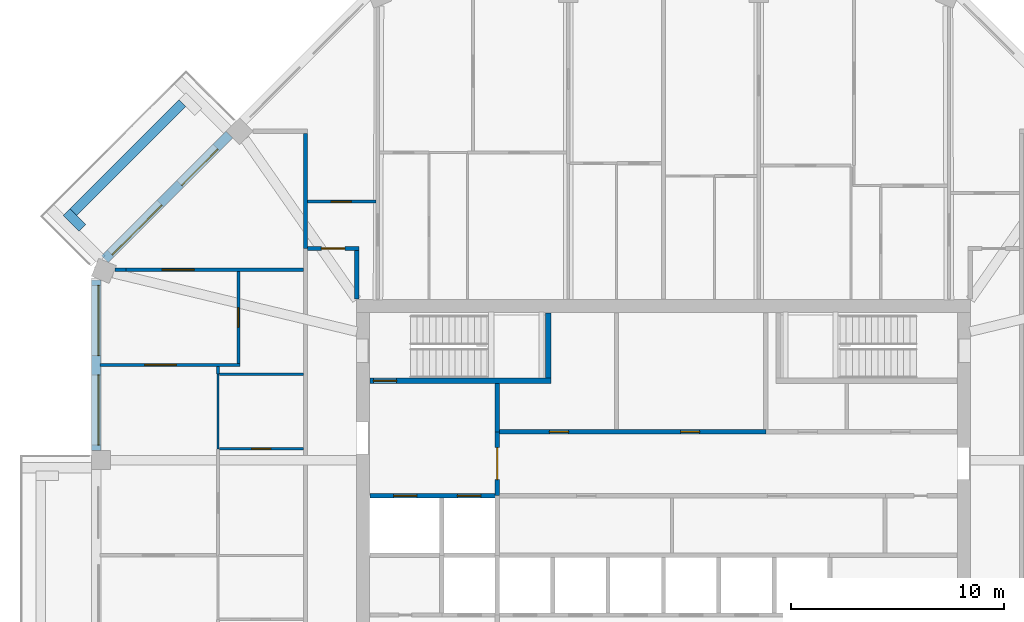
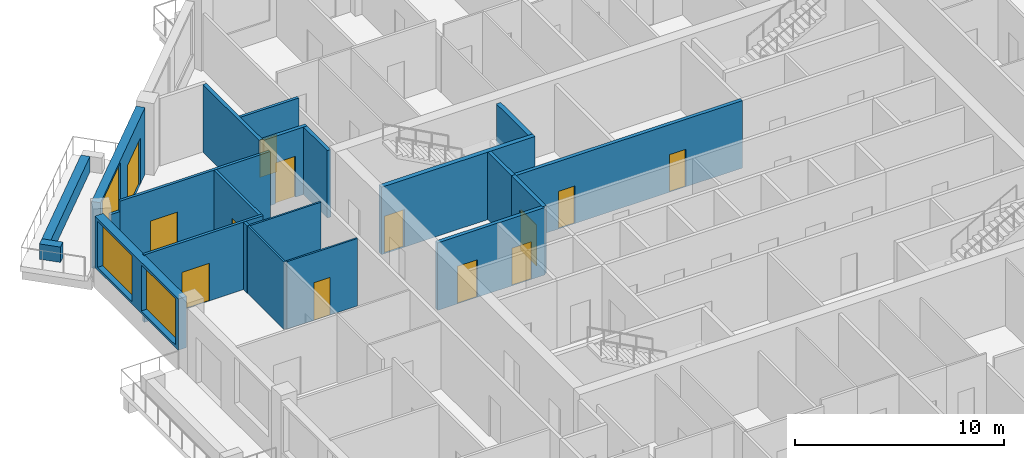
# One storey, part 7 of 13: 22 walls, 13 doors, 3 windows, 16 openings.
"""IFC4 building model written with IfcOpenShell, lengths in metres."""

from ifc_helpers import new_model, si_unit, direction, frame, frame_2d, origin, place, context, subcontext, project, spatial, rectangle, extrude, material, layer, layer_set, type_object, element, fill, save


model = new_model("IFC4")

# Units and contexts
model_context = context("Model", 3, precision=1e-05, world=origin(), true_north=direction((0.0, 1.0)))
body_context = subcontext(model_context, "Body", "Model", "MODEL_VIEW")
ifc_project = project(units=[si_unit("LENGTHUNIT", "METRE"), si_unit("AREAUNIT", "SQUARE_METRE"), si_unit("VOLUMEUNIT", "CUBIC_METRE"), si_unit("PLANEANGLEUNIT", "RADIAN"), si_unit("MASSUNIT", "GRAM", prefix="KILO")], contexts=[model_context])

# Site, building, storey
site_placement = place(None, origin())
site = spatial("IfcSite", under=ifc_project, at=site_placement, CompositionType="ELEMENT")
building_placement = place(site_placement, origin())
building = spatial("IfcBuilding", under=site, at=building_placement, Name="Msitu Wima Residences", CompositionType="ELEMENT")
storey_placement = place(building_placement, frame((0.0, 0.0, 289.5)))
storey = spatial("IfcBuildingStorey", under=building, at=storey_placement, Name="L67", CompositionType="ELEMENT", Elevation=289.5)

# Walls
ifc_material_1 = material(Name="Facing brick")
ifc_layer_1 = layer(ifc_material_1, 0.06494140625, Name="Facing brick")
ifc_material_2 = material(Name="Concrete C40/50", Category="concrete")
ifc_layer_2 = layer(ifc_material_2, 0.156005859375, Name="Concrete C40/50")
ifc_material_3 = material(Name="Waterproofing membrane")
ifc_layer_3 = layer(ifc_material_3, 0.00390625, Name="Waterproofing membrane")
ifc_material_4 = material(Name="Planting soil and planting")
ifc_layer_4 = layer(ifc_material_4, 0.22509765625, Name="Planting soil and planting")
ifc_layer_set_1 = layer_set([ifc_layer_1, ifc_layer_2, ifc_layer_3, ifc_layer_4], Name="Concrete C40/50")
wall_type_1 = type_object("IfcWallType", Name="Balcony planter PLANTER PL450", PredefinedType="USERDEFINED", material=ifc_layer_set_1)
wall_1_placement = place(storey_placement, frame((-22.572265625, 21.228759765625, 0.0), z_axis=(0.0, 0.0, 1.0), x_axis=(-0.707106781187, -0.707106781187, 0.0)))
element("IfcWall", 1, at=wall_1_placement, inside=storey, type_object=wall_type_1, Name="Balcony planter NW1 L67", ObjectType="PLANTER", PredefinedType="USERDEFINED", context=body_context, shape_type="SweptSolid", body=[
    extrude(rectangle(XDim=7.23828125, YDim=0.449951171875, at=frame_2d((3.619140625, 0.0))), origin(), (0.0, 0.0, 1.0), 0.89990234375),
])
wall_2_placement = place(storey_placement, frame((-27.26611328125, 15.3681640625, 0.0), z_axis=(0.0, 0.0, 1.0), x_axis=(-0.707223014731, 0.706990528533, 0.0)))
element("IfcWall", 2, at=wall_2_placement, inside=storey, type_object=wall_type_1, Name="Balcony planter NW1 L67", ObjectType="PLANTER", PredefinedType="USERDEFINED", context=body_context, shape_type="SweptSolid", body=[
    extrude(rectangle(XDim=1.050048828125, YDim=0.449951171875, at=frame_2d((0.52490234375, 0.0))), origin(), (0.0, 0.0, 1.0), 0.89990234375),
])

# Wall, openings, door, window
ifc_material_5 = material(Name="Brick (red buff mix)", Category="masonry")
ifc_layer_5 = layer(ifc_material_5, 0.449951171875)
ifc_layer_set_2 = layer_set([ifc_layer_5], Name="Brick (red buff mix)")
wall_type_2 = type_object("IfcWallType", Name="Brick infill wall BW450", PredefinedType="SOLIDWALL", material=ifc_layer_set_2)
wall_3_placement = place(storey_placement, frame((-20.380126953125, 19.743896484375, 0.0), z_axis=(0.0, 0.0, 1.0), x_axis=(-0.707106781187, -0.707106781187, 0.0)))
wall_3 = element("IfcWall", 3, at=wall_3_placement, inside=storey, type_object=wall_type_2, Name="Brick infill wall L67 NW1", PredefinedType="SOLIDWALL", context=body_context, shape_type="SweptSolid", body=[
    extrude(rectangle(XDim=8.251220703125, YDim=0.449951171875, at=frame_2d((4.12548828125, 0.0))), origin(), (0.0, 0.0, 1.0), 3.89990234375),
])
opening_1_placement = place(wall_3_placement, frame((0.86279296875, 0.0, 0.0)))
opening_1 = element("IfcOpeningElement", 4, at=opening_1_placement, cuts=wall_3, Name="Opening D65-67.005", PredefinedType="OPENING", context=body_context, shape_type="SweptSolid", body=[
    extrude(rectangle(XDim=2.39990234375, YDim=2.699951171875, at=frame_2d((1.199951171875, 1.35009765625))), frame((0.0, 0.23486328125, 0.0), z_axis=(0.0, -1.0, 0.0), x_axis=(1.0, 0.0, 0.0)), (0.0, 0.0, 1.0), 0.469970703125),
])
opening_2_placement = place(wall_3_placement, frame((4.57568359375, 0.0, 1.050048828125)))
opening_2 = element("IfcOpeningElement", 5, at=opening_2_placement, cuts=wall_3, Name="Opening W65-67.015", PredefinedType="OPENING", context=body_context, shape_type="SweptSolid", body=[
    extrude(rectangle(XDim=3.300048828125, YDim=2.699951171875, at=frame_2d((1.64990234375, 1.35009765625))), frame((0.0, 0.23486328125, 0.0), z_axis=(0.0, -1.0, 0.0), x_axis=(1.0, 0.0, 0.0)), (0.0, 0.0, 1.0), 0.469970703125),
])
ifc_material_6 = material(Name="Anodised aluminium, bronze finish, clear low-emissivity double glazing", Category="aluminium")
door_type_1 = type_object("IfcDoorType", Name="Balcony door D2400x2700", OperationType="SLIDING_TO_LEFT", PredefinedType="DOOR", material=ifc_material_6)
door_1_placement = place(opening_1_placement, origin())
door_1 = element("IfcDoor", 6, at=door_1_placement, inside=storey, type_object=door_type_1, Name="Balcony door L67 NW1", OperationType="SINGLE_SWING_LEFT", OverallHeight=2.699951171875, OverallWidth=2.39990234375, PredefinedType="DOOR", context=body_context, shape_type="SweptSolid", body=[
    extrude(rectangle(XDim=2.39990234375, YDim=2.699951171875, at=frame_2d((1.199951171875, 1.35009765625))), frame((0.0, 0.1298828125, 0.0), z_axis=(0.0, -1.0, 0.0), x_axis=(1.0, 0.0, 0.0)), (0.0, 0.0, 1.0), 0.050048828125),
])
fill(opening_1, door_1)
window_type = type_object("IfcWindowType", Name="Window W3300x2700", PartitioningType="DOUBLE_PANEL_VERTICAL", PredefinedType="WINDOW", material=ifc_material_6)
window_1_placement = place(opening_2_placement, origin())
window_1 = element("IfcWindow", 7, at=window_1_placement, inside=storey, type_object=window_type, Name="Window L67 NW1.2", OverallHeight=2.699951171875, OverallWidth=3.300048828125, PartitioningType="SINGLE_PANEL", PredefinedType="WINDOW", context=body_context, shape_type="SweptSolid", body=[
    extrude(rectangle(XDim=3.300048828125, YDim=2.699951171875, at=frame_2d((1.64990234375, 1.35009765625))), frame((0.0, 0.135009765625, 0.0), z_axis=(0.0, -1.0, 0.0), x_axis=(1.0, 0.0, 0.0)), (0.0, 0.0, 1.0), 0.06005859375),
])
fill(opening_2, window_1)

# Wall, openings, windows
wall_4_placement = place(storey_placement, frame((-26.625, 12.918701171875, 0.89990234375), z_axis=(0.0, 0.0, 1.0), x_axis=(0.0, -1.0, 0.0)))
wall_4 = element("IfcWall", 8, at=wall_4_placement, inside=storey, type_object=wall_type_2, Name="Brick infill wall L67 W0", PredefinedType="SOLIDWALL", context=body_context, shape_type="SweptSolid", body=[
    extrude(rectangle(XDim=8.0, YDim=0.449951171875, at=frame_2d((4.0, 0.0))), origin(), (0.0, 0.0, 1.0), 3.0),
])
opening_3_placement = place(wall_4_placement, frame((0.25, 0.0, 0.14990234375)))
opening_3 = element("IfcOpeningElement", 9, at=opening_3_placement, cuts=wall_4, Name="Opening W65-67.026", PredefinedType="OPENING", context=body_context, shape_type="SweptSolid", body=[
    extrude(rectangle(XDim=3.300048828125, YDim=2.699951171875, at=frame_2d((1.64990234375, 1.35009765625))), frame((0.0, 0.23486328125, 0.0), z_axis=(0.0, -1.0, 0.0), x_axis=(1.0, 0.0, 0.0)), (0.0, 0.0, 1.0), 0.469970703125),
])
opening_4_placement = place(wall_4_placement, frame((4.4501953125, 0.0, 0.14990234375)))
opening_4 = element("IfcOpeningElement", 10, at=opening_4_placement, cuts=wall_4, Name="Opening W65-67.027", PredefinedType="OPENING", context=body_context, shape_type="SweptSolid", body=[
    extrude(rectangle(XDim=3.300048828125, YDim=2.699951171875, at=frame_2d((1.64990234375, 1.35009765625))), frame((0.0, 0.23486328125, 0.0), z_axis=(0.0, -1.0, 0.0), x_axis=(1.0, 0.0, 0.0)), (0.0, 0.0, 1.0), 0.469970703125),
])
window_2_placement = place(opening_3_placement, origin())
window_2 = element("IfcWindow", 11, at=window_2_placement, inside=storey, type_object=window_type, Name="Window L67 W0.1", OverallHeight=2.699951171875, OverallWidth=3.300048828125, PartitioningType="SINGLE_PANEL", PredefinedType="WINDOW", context=body_context, shape_type="SweptSolid", body=[
    extrude(rectangle(XDim=3.300048828125, YDim=2.699951171875, at=frame_2d((1.64990234375, 1.35009765625))), frame((0.0, 0.135009765625, 0.0), z_axis=(0.0, -1.0, 0.0), x_axis=(1.0, 0.0, 0.0)), (0.0, 0.0, 1.0), 0.06005859375),
])
fill(opening_3, window_2)
window_3_placement = place(opening_4_placement, origin())
window_3 = element("IfcWindow", 12, at=window_3_placement, inside=storey, type_object=window_type, Name="Window L67 W0.2", OverallHeight=2.699951171875, OverallWidth=3.300048828125, PartitioningType="SINGLE_PANEL", PredefinedType="WINDOW", context=body_context, shape_type="SweptSolid", body=[
    extrude(rectangle(XDim=3.300048828125, YDim=2.699951171875, at=frame_2d((1.64990234375, 1.35009765625))), frame((0.0, 0.135009765625, 0.0), z_axis=(0.0, -1.0, 0.0), x_axis=(1.0, 0.0, 0.0)), (0.0, 0.0, 1.0), 0.06005859375),
])
fill(opening_4, window_3)

# Wall, opening, door
ifc_material_7 = material(Name="Plaster")
ifc_layer_6 = layer(ifc_material_7, 0.011962890625, Name="Plaster")
ifc_material_8 = material(Name="Concrete blockwork", Category="masonry")
ifc_layer_7 = layer(ifc_material_8, 0.176025390625, Name="Concrete blockwork")
ifc_layer_8 = layer(ifc_material_7, 0.011962890625, Name="Plaster")
ifc_layer_set_3 = layer_set([ifc_layer_6, ifc_layer_7, ifc_layer_8], Name="Concrete blockwork")
wall_type_3 = type_object("IfcWallType", Name="Corridor wall FW200", PredefinedType="PARTITIONING", material=ifc_layer_set_3)
wall_5_placement = place(storey_placement, frame((-16.699951171875, 14.39990234375, 0.0), z_axis=(0.0, 0.0, 1.0), x_axis=(1.0, 0.0, 0.0)))
wall_5 = element("IfcWall", 13, at=wall_5_placement, inside=storey, type_object=wall_type_3, Name="Corridor wall", PredefinedType="PARTITIONING", context=body_context, shape_type="SweptSolid", body=[
    extrude(rectangle(XDim=2.39990234375, YDim=0.199951171875, at=frame_2d((1.199951171875, 0.0))), origin(), (0.0, 0.0, 1.0), 3.949951171875),
])
opening_5_placement = place(wall_5_placement, frame((0.64990234375, 0.0, 0.0)))
opening_5 = element("IfcOpeningElement", 14, at=opening_5_placement, cuts=wall_5, Name="Opening D65-67.032", PredefinedType="OPENING", context=body_context, shape_type="SweptSolid", body=[
    extrude(rectangle(XDim=1.10009765625, YDim=2.39990234375, at=frame_2d((0.550048828125, 1.199951171875))), frame((0.0, 0.10986328125, 0.0), z_axis=(0.0, -1.0, 0.0), x_axis=(1.0, 0.0, 0.0)), (0.0, 0.0, 1.0), 0.219970703125),
])
ifc_material_9 = material(Name="Timber flush door, fire resisting, self-closing", Category="wood")
door_type_2 = type_object("IfcDoorType", Name="Flat entrance door D01 1100x2400", OperationType="SINGLE_SWING_LEFT", PredefinedType="DOOR", material=ifc_material_9)
door_2_placement = place(opening_5_placement, origin())
door_2 = element("IfcDoor", 15, at=door_2_placement, inside=storey, type_object=door_type_2, Name="Flat entrance door", OperationType="SINGLE_SWING_LEFT", OverallHeight=2.39990234375, OverallWidth=1.10009765625, PredefinedType="DOOR", context=body_context, shape_type="SweptSolid", body=[
    extrude(rectangle(XDim=1.10009765625, YDim=2.39990234375, at=frame_2d((0.550048828125, 1.199951171875))), frame((0.0, 0.02490234375, 0.0), z_axis=(0.0, -1.0, 0.0), x_axis=(1.0, 0.0, 0.0)), (0.0, 0.0, 1.0), 0.050048828125),
])
fill(opening_5, door_2)

# Wall
wall_6_placement = place(storey_placement, frame((-14.39990234375, 12.030029296875, 0.0), z_axis=(0.0, 0.0, 1.0), x_axis=(0.0, 1.0, 0.0)))
element("IfcWall", 16, at=wall_6_placement, inside=storey, type_object=wall_type_3, Name="Corridor wall", PredefinedType="PARTITIONING", context=body_context, shape_type="SweptSolid", body=[
    extrude(rectangle(XDim=2.27001953125, YDim=0.199951171875, at=frame_2d((1.135009765625, 0.0))), origin(), (0.0, 0.0, 1.0), 3.949951171875),
])

# Wall, opening, door
wall_7_placement = place(storey_placement, frame((-7.800048828125, 2.800048828125, 0.0), z_axis=(0.0, 0.0, 1.0), x_axis=(0.0, 1.0, 0.0)))
wall_7 = element("IfcWall", 17, at=wall_7_placement, inside=storey, type_object=wall_type_3, Name="Corridor wall", PredefinedType="PARTITIONING", context=body_context, shape_type="SweptSolid", body=[
    extrude(rectangle(XDim=3.0, YDim=0.199951171875, at=frame_2d((1.5, 0.0))), origin(), (0.0, 0.0, 1.0), 3.949951171875),
])
opening_6_placement = place(wall_7_placement, frame((0.75, 0.0, 0.0)))
opening_6 = element("IfcOpeningElement", 18, at=opening_6_placement, cuts=wall_7, Name="Opening D65-67.076", PredefinedType="OPENING", context=body_context, shape_type="SweptSolid", body=[
    extrude(rectangle(XDim=1.5, YDim=2.39990234375, at=frame_2d((0.75, 1.199951171875))), frame((0.0, 0.10986328125, 0.0), z_axis=(0.0, -1.0, 0.0), x_axis=(1.0, 0.0, 0.0)), (0.0, 0.0, 1.0), 0.219970703125),
])
ifc_material_10 = material(Name="Steel framed glazed door, fire resisting", Category="steel")
door_type_3 = type_object("IfcDoorType", Name="Lobby door D07 1500x2400", OperationType="DOUBLE_DOOR_SINGLE_SWING", PredefinedType="DOOR", material=ifc_material_10)
door_3_placement = place(opening_6_placement, origin())
door_3 = element("IfcDoor", 19, at=door_3_placement, inside=storey, type_object=door_type_3, Name="Lobby door", OperationType="DOUBLE_DOOR_SINGLE_SWING", OverallHeight=2.39990234375, OverallWidth=1.5, PredefinedType="DOOR", context=body_context, shape_type="SweptSolid", body=[
    extrude(rectangle(XDim=1.5, YDim=2.39990234375, at=frame_2d((0.75, 1.199951171875))), frame((0.0, 0.02490234375, 0.0), z_axis=(0.0, -1.0, 0.0), x_axis=(1.0, 0.0, 0.0)), (0.0, 0.0, 1.0), 0.050048828125),
])
fill(opening_6, door_3)

ifc_layer_9 = layer(ifc_material_7, 0.011962890625, Name="Plaster")
ifc_layer_10 = layer(ifc_material_8, 0.1259765625, Name="Concrete blockwork")
ifc_layer_11 = layer(ifc_material_7, 0.011962890625, Name="Plaster")
ifc_layer_set_4 = layer_set([ifc_layer_9, ifc_layer_10, ifc_layer_11], Name="Concrete blockwork")
wall_type_4 = type_object("IfcWallType", Name="Partition PW150", PredefinedType="PARTITIONING", material=ifc_layer_set_4)
wall_8_placement = place(storey_placement, frame((-26.455078125, 8.937255859375, 0.0), z_axis=(0.0, 0.0, 1.0), x_axis=(1.0, 0.0, 0.0)))
wall_8 = element("IfcWall", 20, at=wall_8_placement, inside=storey, type_object=wall_type_4, Name="Partition", PredefinedType="PARTITIONING", context=body_context, shape_type="SweptSolid", body=[
    extrude(rectangle(XDim=6.580078125, YDim=0.14990234375, at=frame_2d((3.2900390625, 0.0))), origin(), (0.0, 0.0, 1.0), 3.949951171875),
])
opening_7_placement = place(wall_8_placement, frame((2.10009765625, 0.0, 0.0)))
opening_7 = element("IfcOpeningElement", 21, at=opening_7_placement, cuts=wall_8, Name="Opening D65-67.051", PredefinedType="OPENING", context=body_context, shape_type="SweptSolid", body=[
    extrude(rectangle(XDim=1.5, YDim=2.199951171875, at=frame_2d((0.75, 1.10009765625))), frame((0.0, 0.0849609375, 0.0), z_axis=(0.0, -1.0, 0.0), x_axis=(1.0, 0.0, 0.0)), (0.0, 0.0, 1.0), 0.169921875),
])
ifc_material_11 = material(Name="Timber double door", Category="wood")
door_type_4 = type_object("IfcDoorType", Name="Double door D04 1500x2200", OperationType="DOUBLE_DOOR_SINGLE_SWING", PredefinedType="DOOR", material=ifc_material_11)
door_4_placement = place(opening_7_placement, origin())
door_4 = element("IfcDoor", 22, at=door_4_placement, inside=storey, type_object=door_type_4, Name="Double door", OperationType="DOUBLE_DOOR_SINGLE_SWING", OverallHeight=2.199951171875, OverallWidth=1.5, PredefinedType="DOOR", context=body_context, shape_type="SweptSolid", body=[
    extrude(rectangle(XDim=1.5, YDim=2.199951171875, at=frame_2d((0.75, 1.10009765625))), frame((0.0, 0.02490234375, 0.0), z_axis=(0.0, -1.0, 0.0), x_axis=(1.0, 0.0, 0.0)), (0.0, 0.0, 1.0), 0.050048828125),
])
fill(opening_7, door_4)

# Wall
wall_9_placement = place(storey_placement, frame((-25.731201171875, 13.406005859375, 0.0), z_axis=(0.0, 0.0, 1.0), x_axis=(1.0, 0.0, 0.0)))
element("IfcWall", 23, at=wall_9_placement, inside=storey, type_object=wall_type_4, Name="Partition", PredefinedType="PARTITIONING", context=body_context, shape_type="SweptSolid", body=[
    extrude(rectangle(XDim=0.507080078125, YDim=0.14990234375, at=frame_2d((0.25341796875, 0.0))), origin(), (0.0, 0.0, 1.0), 3.35009765625),
])

# Wall, opening, door
wall_10_placement = place(storey_placement, frame((-25.22412109375, 13.406005859375, 0.0), z_axis=(0.0, 0.0, 1.0), x_axis=(1.0, 0.0, 0.0)))
wall_10 = element("IfcWall", 24, at=wall_10_placement, inside=storey, type_object=wall_type_4, Name="Partition", PredefinedType="PARTITIONING", context=body_context, shape_type="SweptSolid", body=[
    extrude(rectangle(XDim=8.32421875, YDim=0.14990234375, at=frame_2d((4.162109375, 0.0))), origin(), (0.0, 0.0, 1.0), 3.949951171875),
])
opening_8_placement = place(wall_10_placement, frame((1.69287109375, 0.0, 0.0)))
opening_8 = element("IfcOpeningElement", 25, at=opening_8_placement, cuts=wall_10, Name="Opening D65-67.052", PredefinedType="OPENING", context=body_context, shape_type="SweptSolid", body=[
    extrude(rectangle(XDim=1.5, YDim=2.199951171875, at=frame_2d((0.75, 1.10009765625))), frame((0.0, 0.0849609375, 0.0), z_axis=(0.0, -1.0, 0.0), x_axis=(1.0, 0.0, 0.0)), (0.0, 0.0, 1.0), 0.169921875),
])
door_5_placement = place(opening_8_placement, origin())
door_5 = element("IfcDoor", 26, at=door_5_placement, inside=storey, type_object=door_type_4, Name="Double door", OperationType="DOUBLE_DOOR_SINGLE_SWING", OverallHeight=2.199951171875, OverallWidth=1.5, PredefinedType="DOOR", context=body_context, shape_type="SweptSolid", body=[
    extrude(rectangle(XDim=1.5, YDim=2.199951171875, at=frame_2d((0.75, 1.10009765625))), frame((0.0, 0.02490234375, 0.0), z_axis=(0.0, -1.0, 0.0), x_axis=(1.0, 0.0, 0.0)), (0.0, 0.0, 1.0), 0.050048828125),
])
fill(opening_8, door_5)

# Wall
wall_11_placement = place(storey_placement, frame((-20.89990234375, 8.5, 0.0), z_axis=(0.0, 0.0, 1.0), x_axis=(0.0, 1.0, 0.0)))
element("IfcWall", 27, at=wall_11_placement, inside=storey, type_object=wall_type_4, Name="Partition", PredefinedType="PARTITIONING", context=body_context, shape_type="SweptSolid", body=[
    extrude(rectangle(XDim=0.3623046875, YDim=0.14990234375, at=frame_2d((0.18115234375, 0.0))), origin(), (0.0, 0.0, 1.0), 3.949951171875),
])

# Wall, opening, door
wall_12_placement = place(storey_placement, frame((-19.949951171875, 9.01220703125, 0.0), z_axis=(0.0, 0.0, 1.0), x_axis=(0.0, 1.0, 0.0)))
wall_12 = element("IfcWall", 28, at=wall_12_placement, inside=storey, type_object=wall_type_4, Name="Partition", PredefinedType="PARTITIONING", context=body_context, shape_type="SweptSolid", body=[
    extrude(rectangle(XDim=4.318603515625, YDim=0.14990234375, at=frame_2d((2.1591796875, 0.0))), origin(), (0.0, 0.0, 1.0), 3.949951171875),
])
opening_9_placement = place(wall_12_placement, frame((1.699951171875, 0.0, 0.0)))
opening_9 = element("IfcOpeningElement", 29, at=opening_9_placement, cuts=wall_12, Name="Opening D65-67.045", PredefinedType="OPENING", context=body_context, shape_type="SweptSolid", body=[
    extrude(rectangle(XDim=0.89990234375, YDim=2.199951171875, at=frame_2d((0.449951171875, 1.10009765625))), frame((0.0, 0.0849609375, 0.0), z_axis=(0.0, -1.0, 0.0), x_axis=(1.0, 0.0, 0.0)), (0.0, 0.0, 1.0), 0.169921875),
])
ifc_material_12 = material(Name="Timber flush door", Category="wood")
door_type_5 = type_object("IfcDoorType", Name="Service door D05 900x2200", OperationType="SINGLE_SWING_LEFT", PredefinedType="DOOR", material=ifc_material_12)
door_6_placement = place(opening_9_placement, origin())
door_6 = element("IfcDoor", 30, at=door_6_placement, inside=storey, type_object=door_type_5, Name="Service door", OperationType="SINGLE_SWING_LEFT", OverallHeight=2.199951171875, OverallWidth=0.89990234375, PredefinedType="DOOR", context=body_context, shape_type="SweptSolid", body=[
    extrude(rectangle(XDim=0.89990234375, YDim=2.199951171875, at=frame_2d((0.449951171875, 1.10009765625))), frame((0.0, 0.02490234375, 0.0), z_axis=(0.0, -1.0, 0.0), x_axis=(1.0, 0.0, 0.0)), (0.0, 0.0, 1.0), 0.050048828125),
])
fill(opening_9, door_6)

wall_13_placement = place(storey_placement, frame((-16.699951171875, 16.60009765625, 0.0), z_axis=(0.0, 0.0, 1.0), x_axis=(1.0, 0.0, 0.0)))
wall_13 = element("IfcWall", 31, at=wall_13_placement, inside=storey, type_object=wall_type_4, Name="Partition", PredefinedType="PARTITIONING", context=body_context, shape_type="SweptSolid", body=[
    extrude(rectangle(XDim=3.218994140625, YDim=0.14990234375, at=frame_2d((1.609375, 0.0))), origin(), (0.0, 0.0, 1.0), 3.949951171875),
])
opening_10_placement = place(wall_13_placement, frame((1.10009765625, 0.0, 0.0)))
opening_10 = element("IfcOpeningElement", 32, at=opening_10_placement, cuts=wall_13, Name="Opening D65-67.035", PredefinedType="OPENING", context=body_context, shape_type="SweptSolid", body=[
    extrude(rectangle(XDim=0.949951171875, YDim=2.199951171875, at=frame_2d((0.47509765625, 1.10009765625))), frame((0.0, 0.0849609375, 0.0), z_axis=(0.0, -1.0, 0.0), x_axis=(1.0, 0.0, 0.0)), (0.0, 0.0, 1.0), 0.169921875),
])
door_type_6 = type_object("IfcDoorType", Name="Room door D12 950x2200", OperationType="SINGLE_SWING_LEFT", PredefinedType="DOOR", material=ifc_material_12)
door_7_placement = place(opening_10_placement, origin())
door_7 = element("IfcDoor", 33, at=door_7_placement, inside=storey, type_object=door_type_6, Name="Room door", OperationType="SINGLE_SWING_LEFT", OverallHeight=2.199951171875, OverallWidth=0.949951171875, PredefinedType="DOOR", context=body_context, shape_type="SweptSolid", body=[
    extrude(rectangle(XDim=0.949951171875, YDim=2.199951171875, at=frame_2d((0.47509765625, 1.10009765625))), frame((0.0, 0.02490234375, 0.0), z_axis=(0.0, -1.0, 0.0), x_axis=(1.0, 0.0, 0.0)), (0.0, 0.0, 1.0), 0.050048828125),
])
fill(opening_10, door_7)

# Walls
ifc_layer_12 = layer(ifc_material_7, 0.011962890625, Name="Plaster")
ifc_material_13 = material(Name="Dense concrete blockwork", Category="masonry")
ifc_layer_13 = layer(ifc_material_13, 0.176025390625, Name="Dense concrete blockwork")
ifc_layer_14 = layer(ifc_material_7, 0.011962890625, Name="Plaster")
ifc_layer_set_5 = layer_set([ifc_layer_12, ifc_layer_13, ifc_layer_14], Name="Dense concrete blockwork")
wall_type_5 = type_object("IfcWallType", Name="Party wall PW200", PredefinedType="PARTITIONING", material=ifc_layer_set_5)
wall_14_placement = place(storey_placement, frame((-16.800048828125, 14.39990234375, 0.0), z_axis=(0.0, 0.0, 1.0), x_axis=(0.0, 1.0, 0.0)))
element("IfcWall", 34, at=wall_14_placement, inside=storey, type_object=wall_type_5, Name="Party wall", PredefinedType="PARTITIONING", context=body_context, shape_type="SweptSolid", body=[
    extrude(rectangle(XDim=5.403076171875, YDim=0.199951171875, at=frame_2d((2.70166015625, 0.0))), origin(), (0.0, 0.0, 1.0), 3.949951171875),
])
ifc_layer_15 = layer(ifc_material_7, 0.011962890625, Name="Plaster")
ifc_material_14 = material(Name="Reinforced concrete blockwork", Category="masonry")
ifc_layer_16 = layer(ifc_material_14, 0.176025390625, Name="Reinforced concrete blockwork")
ifc_layer_17 = layer(ifc_material_7, 0.011962890625, Name="Plaster")
ifc_layer_set_6 = layer_set([ifc_layer_15, ifc_layer_16, ifc_layer_17], Name="Reinforced concrete blockwork")
wall_type_6 = type_object("IfcWallType", Name="Plant and riser wall PL200", PredefinedType="PARTITIONING", material=ifc_layer_set_6)
wall_15_placement = place(storey_placement, frame((-7.800048828125, 5.800048828125, 0.0), z_axis=(0.0, 0.0, 1.0), x_axis=(0.0, 1.0, 0.0)))
element("IfcWall", 35, at=wall_15_placement, inside=storey, type_object=wall_type_6, Name="Plant and riser wall", PredefinedType="PARTITIONING", context=body_context, shape_type="SweptSolid", body=[
    extrude(rectangle(XDim=2.27490234375, YDim=0.199951171875, at=frame_2d((1.137451171875, 0.0))), origin(), (0.0, 0.0, 1.0), 3.949951171875),
])

# Wall, openings, doors
wall_16_placement = place(storey_placement, frame((-7.699951171875, 5.800048828125, 0.0), z_axis=(0.0, 0.0, 1.0), x_axis=(1.0, 0.0, 0.0)))
wall_16 = element("IfcWall", 36, at=wall_16_placement, inside=storey, type_object=wall_type_6, Name="Plant and riser wall", PredefinedType="PARTITIONING", context=body_context, shape_type="SweptSolid", body=[
    extrude(rectangle(XDim=12.52001953125, YDim=0.199951171875, at=frame_2d((6.260009765625, 0.0))), origin(), (0.0, 0.0, 1.0), 3.949951171875),
])
opening_11_placement = place(wall_16_placement, frame((2.35009765625, 0.0, 0.0)))
opening_11 = element("IfcOpeningElement", 37, at=opening_11_placement, cuts=wall_16, Name="Opening D65-67.079", PredefinedType="OPENING", context=body_context, shape_type="SweptSolid", body=[
    extrude(rectangle(XDim=0.89990234375, YDim=2.199951171875, at=frame_2d((0.449951171875, 1.10009765625))), frame((0.0, 0.10986328125, 0.0), z_axis=(0.0, -1.0, 0.0), x_axis=(1.0, 0.0, 0.0)), (0.0, 0.0, 1.0), 0.219970703125),
])
opening_12_placement = place(wall_16_placement, frame((8.5, 0.0, 0.0)))
opening_12 = element("IfcOpeningElement", 38, at=opening_12_placement, cuts=wall_16, Name="Opening D65-67.080", PredefinedType="OPENING", context=body_context, shape_type="SweptSolid", body=[
    extrude(rectangle(XDim=0.89990234375, YDim=2.199951171875, at=frame_2d((0.449951171875, 1.10009765625))), frame((0.0, 0.10986328125, 0.0), z_axis=(0.0, -1.0, 0.0), x_axis=(1.0, 0.0, 0.0)), (0.0, 0.0, 1.0), 0.219970703125),
])
door_8_placement = place(opening_11_placement, origin())
door_8 = element("IfcDoor", 39, at=door_8_placement, inside=storey, type_object=door_type_5, Name="Service door", OperationType="SINGLE_SWING_RIGHT", OverallHeight=2.199951171875, OverallWidth=0.89990234375, PredefinedType="DOOR", context=body_context, shape_type="SweptSolid", body=[
    extrude(rectangle(XDim=0.89990234375, YDim=2.199951171875, at=frame_2d((0.449951171875, 1.10009765625))), frame((0.0, 0.02490234375, 0.0), z_axis=(0.0, -1.0, 0.0), x_axis=(1.0, 0.0, 0.0)), (0.0, 0.0, 1.0), 0.050048828125),
])
fill(opening_11, door_8)
door_9_placement = place(opening_12_placement, origin())
door_9 = element("IfcDoor", 40, at=door_9_placement, inside=storey, type_object=door_type_5, Name="Service door", OperationType="SINGLE_SWING_LEFT", OverallHeight=2.199951171875, OverallWidth=0.89990234375, PredefinedType="DOOR", context=body_context, shape_type="SweptSolid", body=[
    extrude(rectangle(XDim=0.89990234375, YDim=2.199951171875, at=frame_2d((0.449951171875, 1.10009765625))), frame((0.0, 0.02490234375, 0.0), z_axis=(0.0, -1.0, 0.0), x_axis=(1.0, 0.0, 0.0)), (0.0, 0.0, 1.0), 0.050048828125),
])
fill(opening_12, door_9)

ifc_material_15 = material(Name="Fire-rated board")
ifc_layer_18 = layer(ifc_material_15, 0.02490234375, Name="Fire-rated board")
ifc_material_16 = material(Name="Light-gauge stud framing with mineral wool")
ifc_layer_19 = layer(ifc_material_16, 0.14990234375, Name="Light-gauge stud framing with mineral wool")
ifc_layer_20 = layer(ifc_material_15, 0.02490234375, Name="Fire-rated board")
ifc_layer_set_7 = layer_set([ifc_layer_18, ifc_layer_19, ifc_layer_20], Name="Light-gauge stud framing with mineral wool")
wall_type_7 = type_object("IfcWallType", Name="Shaft wall SH200", PredefinedType="PARTITIONING", material=ifc_layer_set_7)
wall_17_placement = place(storey_placement, frame((-13.77001953125, 2.800048828125, 0.0), z_axis=(0.0, 0.0, 1.0), x_axis=(1.0, 0.0, 0.0)))
wall_17 = element("IfcWall", 41, at=wall_17_placement, inside=storey, type_object=wall_type_7, Name="Shaft wall", PredefinedType="PARTITIONING", context=body_context, shape_type="SweptSolid", body=[
    extrude(rectangle(XDim=5.949951171875, YDim=0.199951171875, at=frame_2d((2.97509765625, 0.0))), origin(), (0.0, 0.0, 1.0), 3.949951171875),
])
opening_13_placement = place(wall_17_placement, frame((1.10009765625, 0.0, 0.0)))
opening_13 = element("IfcOpeningElement", 42, at=opening_13_placement, cuts=wall_17, Name="Opening LD", PredefinedType="OPENING", context=body_context, shape_type="SweptSolid", body=[
    extrude(rectangle(XDim=1.10009765625, YDim=2.199951171875, at=frame_2d((0.550048828125, 1.10009765625))), frame((0.0, 0.10986328125, 0.0), z_axis=(0.0, -1.0, 0.0), x_axis=(1.0, 0.0, 0.0)), (0.0, 0.0, 1.0), 0.219970703125),
])
opening_14_placement = place(wall_17_placement, frame((4.10009765625, 0.0, 0.0)))
opening_14 = element("IfcOpeningElement", 43, at=opening_14_placement, cuts=wall_17, Name="Opening LD", PredefinedType="OPENING", context=body_context, shape_type="SweptSolid", body=[
    extrude(rectangle(XDim=1.10009765625, YDim=2.199951171875, at=frame_2d((0.550048828125, 1.10009765625))), frame((0.0, 0.10986328125, 0.0), z_axis=(0.0, -1.0, 0.0), x_axis=(1.0, 0.0, 0.0)), (0.0, 0.0, 1.0), 0.219970703125),
])
ifc_material_17 = material(Name="Stainless steel centre-opening landing door, rated", Category="steel")
door_type_7 = type_object("IfcDoorType", Name="Lift landing door LD 1100x2200", OperationType="DOUBLE_DOOR_SLIDING", PredefinedType="DOOR", material=ifc_material_17)
door_10_placement = place(opening_13_placement, origin())
door_10 = element("IfcDoor", 44, at=door_10_placement, inside=storey, type_object=door_type_7, Name="Lift landing door LD1", OperationType="DOUBLE_DOOR_SLIDING", OverallHeight=2.199951171875, OverallWidth=1.10009765625, PredefinedType="DOOR", context=body_context, shape_type="SweptSolid", body=[
    extrude(rectangle(XDim=1.10009765625, YDim=2.199951171875, at=frame_2d((0.550048828125, 1.10009765625))), frame((0.0, 0.02490234375, 0.0), z_axis=(0.0, -1.0, 0.0), x_axis=(1.0, 0.0, 0.0)), (0.0, 0.0, 1.0), 0.050048828125),
])
fill(opening_13, door_10)
door_11_placement = place(opening_14_placement, origin())
door_11 = element("IfcDoor", 45, at=door_11_placement, inside=storey, type_object=door_type_7, Name="Lift landing door LD2", OperationType="DOUBLE_DOOR_SLIDING", OverallHeight=2.199951171875, OverallWidth=1.10009765625, PredefinedType="DOOR", context=body_context, shape_type="SweptSolid", body=[
    extrude(rectangle(XDim=1.10009765625, YDim=2.199951171875, at=frame_2d((0.550048828125, 1.10009765625))), frame((0.0, 0.02490234375, 0.0), z_axis=(0.0, -1.0, 0.0), x_axis=(1.0, 0.0, 0.0)), (0.0, 0.0, 1.0), 0.050048828125),
])
fill(opening_14, door_11)

# Wall, opening, door
ifc_material_18 = material(Name="Concrete C50/60", Category="concrete")
ifc_layer_21 = layer(ifc_material_18, 0.25)
ifc_layer_set_8 = layer_set([ifc_layer_21], Name="Concrete C50/60")
wall_type_8 = type_object("IfcWallType", Name="Stair enclosure wall SW250", PredefinedType="SHEAR", material=ifc_layer_set_8)
wall_18_placement = place(storey_placement, frame((-13.77001953125, 8.199951171875, 0.0), z_axis=(0.0, 0.0, 1.0), x_axis=(1.0, 0.0, 0.0)))
wall_18 = element("IfcWall", 46, at=wall_18_placement, inside=storey, type_object=wall_type_8, Name="Stair enclosure wall", PredefinedType="SHEAR", context=body_context, shape_type="SweptSolid", body=[
    extrude(rectangle(XDim=8.4951171875, YDim=0.25, at=frame_2d((4.24755859375, 0.0))), origin(), (0.0, 0.0, 1.0), 3.949951171875),
])
opening_15_placement = place(wall_18_placement, frame((0.14990234375, 0.0, 0.0)))
opening_15 = element("IfcOpeningElement", 47, at=opening_15_placement, cuts=wall_18, Name="Opening D65-67.093", PredefinedType="OPENING", context=body_context, shape_type="SweptSolid", body=[
    extrude(rectangle(XDim=1.10009765625, YDim=2.199951171875, at=frame_2d((0.550048828125, 1.10009765625))), frame((0.0, 0.135009765625, 0.0), z_axis=(0.0, -1.0, 0.0), x_axis=(1.0, 0.0, 0.0)), (0.0, 0.0, 1.0), 0.27001953125),
])
ifc_material_19 = material(Name="Steel door, fire resisting, panic bar", Category="steel")
door_type_8 = type_object("IfcDoorType", Name="Stair door D06 1100x2200", OperationType="SINGLE_SWING_LEFT", PredefinedType="DOOR", material=ifc_material_19)
door_12_placement = place(opening_15_placement, origin())
door_12 = element("IfcDoor", 48, at=door_12_placement, inside=storey, type_object=door_type_8, Name="Stair door", OperationType="SINGLE_SWING_LEFT", OverallHeight=2.199951171875, OverallWidth=1.10009765625, PredefinedType="DOOR", context=body_context, shape_type="SweptSolid", body=[
    extrude(rectangle(XDim=1.10009765625, YDim=2.199951171875, at=frame_2d((0.550048828125, 1.10009765625))), frame((0.0, 0.02490234375, 0.0), z_axis=(0.0, -1.0, 0.0), x_axis=(1.0, 0.0, 0.0)), (0.0, 0.0, 1.0), 0.050048828125),
])
fill(opening_15, door_12)

# Walls
wall_19_placement = place(storey_placement, frame((-5.39990234375, 8.324951171875, 0.0), z_axis=(0.0, 0.0, 1.0), x_axis=(0.0, 1.0, 0.0)))
element("IfcWall", 49, at=wall_19_placement, inside=storey, type_object=wall_type_8, Name="Stair enclosure wall", PredefinedType="SHEAR", context=body_context, shape_type="SweptSolid", body=[
    extrude(rectangle(XDim=3.045166015625, YDim=0.25, at=frame_2d((1.5224609375, 0.0))), origin(), (0.0, 0.0, 1.0), 3.949951171875),
])
ifc_material_20 = material(Name="Ceramic tiles")
ifc_layer_22 = layer(ifc_material_20, 0.008056640625, Name="Ceramic tiles")
ifc_material_21 = material(Name="Moisture-resistant board")
ifc_layer_23 = layer(ifc_material_21, 0.012451171875, Name="Moisture-resistant board")
ifc_layer_24 = layer(ifc_material_16, 0.06689453125, Name="Light-gauge stud framing with mineral wool")
ifc_layer_25 = layer(ifc_material_21, 0.012451171875, Name="Moisture-resistant board")
ifc_layer_set_9 = layer_set([ifc_layer_22, ifc_layer_23, ifc_layer_24, ifc_layer_25], Name="Light-gauge stud framing with mineral wool")
wall_type_9 = type_object("IfcWallType", Name="Wet wall PW100", PredefinedType="PARTITIONING", material=ifc_layer_set_9)
wall_20_placement = place(storey_placement, frame((-20.89990234375, 5.0, 0.0), z_axis=(0.0, 0.0, 1.0), x_axis=(0.0, 1.0, 0.0)))
element("IfcWall", 50, at=wall_20_placement, inside=storey, type_object=wall_type_9, Name="Wet wall", PredefinedType="PARTITIONING", context=body_context, shape_type="SweptSolid", body=[
    extrude(rectangle(XDim=3.5, YDim=0.10009765625, at=frame_2d((1.75, 0.0))), origin(), (0.0, 0.0, 1.0), 3.949951171875),
])

# Wall, opening, door
wall_21_placement = place(storey_placement, frame((-20.824951171875, 5.0, 0.0), z_axis=(0.0, 0.0, 1.0), x_axis=(1.0, 0.0, 0.0)))
wall_21 = element("IfcWall", 51, at=wall_21_placement, inside=storey, type_object=wall_type_9, Name="Wet wall", PredefinedType="PARTITIONING", context=body_context, shape_type="SweptSolid", body=[
    extrude(rectangle(XDim=3.925048828125, YDim=0.10009765625, at=frame_2d((1.96240234375, 0.0))), origin(), (0.0, 0.0, 1.0), 3.949951171875),
])
opening_16_placement = place(wall_21_placement, frame((1.5, 0.0, 0.0)))
opening_16 = element("IfcOpeningElement", 52, at=opening_16_placement, cuts=wall_21, Name="Opening D65-67.044", PredefinedType="OPENING", context=body_context, shape_type="SweptSolid", body=[
    extrude(rectangle(XDim=0.89990234375, YDim=2.199951171875, at=frame_2d((0.449951171875, 1.10009765625))), frame((0.0, 0.06005859375, 0.0), z_axis=(0.0, -1.0, 0.0), x_axis=(1.0, 0.0, 0.0)), (0.0, 0.0, 1.0), 0.1201171875),
])
door_13_placement = place(opening_16_placement, origin())
door_13 = element("IfcDoor", 53, at=door_13_placement, inside=storey, type_object=door_type_5, Name="Service door", OperationType="SINGLE_SWING_RIGHT", OverallHeight=2.199951171875, OverallWidth=0.89990234375, PredefinedType="DOOR", context=body_context, shape_type="SweptSolid", body=[
    extrude(rectangle(XDim=0.89990234375, YDim=2.199951171875, at=frame_2d((0.449951171875, 1.10009765625))), frame((0.0, 0.02490234375, 0.0), z_axis=(0.0, -1.0, 0.0), x_axis=(1.0, 0.0, 0.0)), (0.0, 0.0, 1.0), 0.050048828125),
])
fill(opening_16, door_13)

# Wall
wall_22_placement = place(storey_placement, frame((-20.824951171875, 8.5, 0.0), z_axis=(0.0, 0.0, 1.0), x_axis=(1.0, 0.0, 0.0)))
element("IfcWall", 54, at=wall_22_placement, inside=storey, type_object=wall_type_9, Name="Wet wall", PredefinedType="PARTITIONING", context=body_context, shape_type="SweptSolid", body=[
    extrude(rectangle(XDim=3.925048828125, YDim=0.10009765625, at=frame_2d((1.96240234375, 0.0))), origin(), (0.0, 0.0, 1.0), 3.949951171875),
])

save(model, "model.ifc")
